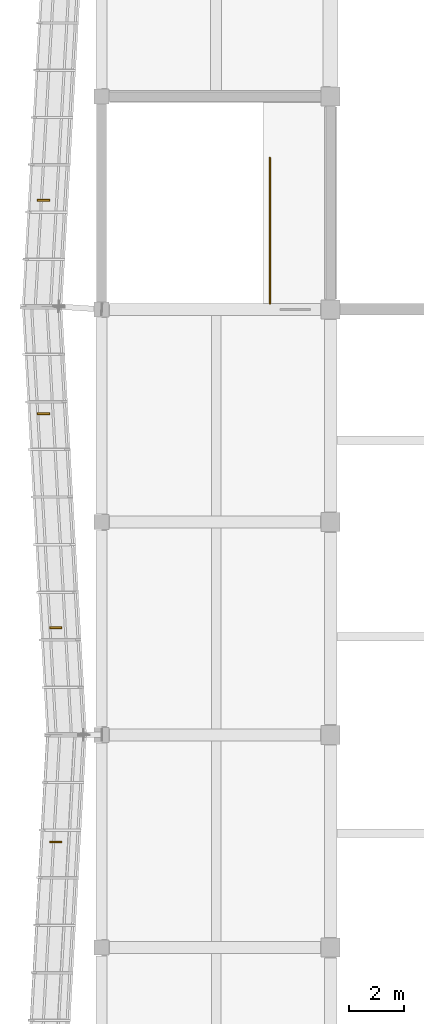
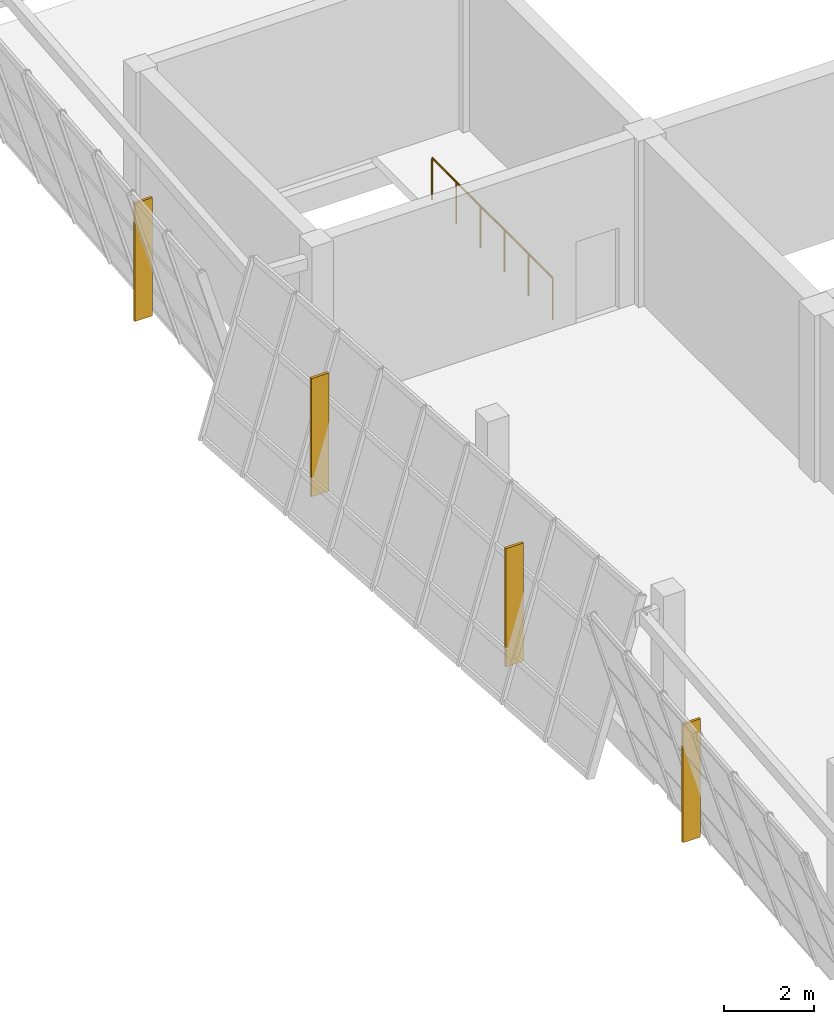
# One storey, part 62 of 67: 4 shading devices, 1 railing.
"""IFC4 building model written with IfcOpenShell, lengths in metres."""

from ifc_helpers import new_model, si_unit, direction, frame, origin, origin_2d, place, context, subcontext, project, spatial, rectangle, circle, extrude, material, type_object, element, save


model = new_model("IFC4")

# Units and contexts
model_context = context("Model", 3, precision=1e-05, world=origin(), true_north=direction((0.0, 1.0)))
body_context = subcontext(model_context, "Body", "Model", "MODEL_VIEW")
ifc_project = project(units=[si_unit("LENGTHUNIT", "METRE"), si_unit("AREAUNIT", "SQUARE_METRE"), si_unit("VOLUMEUNIT", "CUBIC_METRE"), si_unit("PLANEANGLEUNIT", "RADIAN"), si_unit("MASSUNIT", "GRAM", prefix="KILO")], contexts=[model_context])

# Site, building, storey
site_placement = place(None, origin())
site = spatial("IfcSite", under=ifc_project, at=site_placement, CompositionType="ELEMENT")
building_placement = place(site_placement, origin())
building = spatial("IfcBuilding", under=site, at=building_placement, Name="Pellamere Symphony Hall", CompositionType="ELEMENT")
storey_placement = place(building_placement, frame((0.0, 0.0, 19.5)))
storey = spatial("IfcBuildingStorey", under=building, at=storey_placement, Name="L04", CompositionType="ELEMENT", Elevation=19.5)

# Shading devices
ifc_material_1 = material(Name="Champagne-Anodised Extruded Aluminium 6063-T6", Category="aluminium")
shading_device_type = type_object("IfcShadingDeviceType", Name="Exterior Shading SD-01 65x450", PredefinedType="SHUTTER", material=ifc_material_1)
for number, where, z_axis, x_axis, name in (
    (1, (48.2685546875, 81.39990234375, 0.64990234375), (0.0, 0.0, 1.0), (0.0, 1.0, 0.0), "Crystal Acoustic Sunshade Fin CW-CR15 (L04)"),
    (2, (48.2685546875, 73.574951171875, 0.64990234375), (0.0, 0.0, 1.0), (0.0, 1.0, 0.0), "Crystal Acoustic Sunshade Fin CW-CR16 (L04)"),
    (3, (48.718505859375, 65.72509765625, 0.64990234375), (0.0, 0.0, 1.0), (0.0, 1.0, 0.0), "Crystal Acoustic Sunshade Fin CW-CR16 (L04)"),
    (4, (48.718505859375, 57.875, 0.64990234375), (0.0, 0.0, 1.0), (0.0, 1.0, 0.0), "Crystal Acoustic Sunshade Fin CW-CR17 (L04)"),
):
    element("IfcShadingDevice", number, at=place(storey_placement, frame(where, z_axis=z_axis, x_axis=x_axis)), inside=storey, type_object=shading_device_type, Name=name, PredefinedType="SHUTTER", context=body_context, shape_type="SweptSolid", body=[
        extrude(rectangle(XDim=0.06494140625, YDim=0.449951171875, at=origin_2d()), origin(), (0.0, 0.0, 1.0), 3.199951171875),
    ])

# Railing
ifc_material_2 = material(Name="Painted Steel CSA G40.21 350W", Category="steel")
railing_type = type_object("IfcRailingType", Name="Guardrail GR-02 H1150 Painted", PredefinedType="GUARDRAIL", material=ifc_material_2)
railing_placement = place(storey_placement, frame((56.574951171875, 77.610107421875, 0.0)))
element("IfcRailing", 5, at=railing_placement, inside=storey, type_object=railing_type, Name="Stair ST07-L03 Top Landing Well Guard (L04)", PredefinedType="GUARDRAIL", context=body_context, shape_type="SweptSolid", body=[
    extrude(circle(Radius=0.02392578125, at=origin_2d()), frame((0.0, 0.0, 1.1259765625), z_axis=(0.0, 1.0, 0.0), x_axis=(-1.0, 0.0, 0.0)), (0.0, 0.0, 1.0), 5.349853515625),
    extrude(circle(Radius=0.02099609375, at=origin_2d()), origin(), (0.0, 0.0, 1.0), 1.101806640625),
    extrude(circle(Radius=0.02099609375, at=origin_2d()), frame((0.0, 1.070068359375, 0.0)), (0.0, 0.0, 1.0), 1.101806640625),
    extrude(circle(Radius=0.02099609375, at=origin_2d()), frame((0.0, 2.139892578125, 0.0)), (0.0, 0.0, 1.0), 1.101806640625),
    extrude(circle(Radius=0.02099609375, at=origin_2d()), frame((0.0, 3.2099609375, 0.0)), (0.0, 0.0, 1.0), 1.101806640625),
    extrude(circle(Radius=0.02099609375, at=origin_2d()), frame((0.0, 4.27978515625, 0.0)), (0.0, 0.0, 1.0), 1.101806640625),
    extrude(circle(Radius=0.02099609375, at=origin_2d()), frame((0.0, 5.349853515625, 0.0)), (0.0, 0.0, 1.0), 1.101806640625),
])

save(model, "model.ifc")
